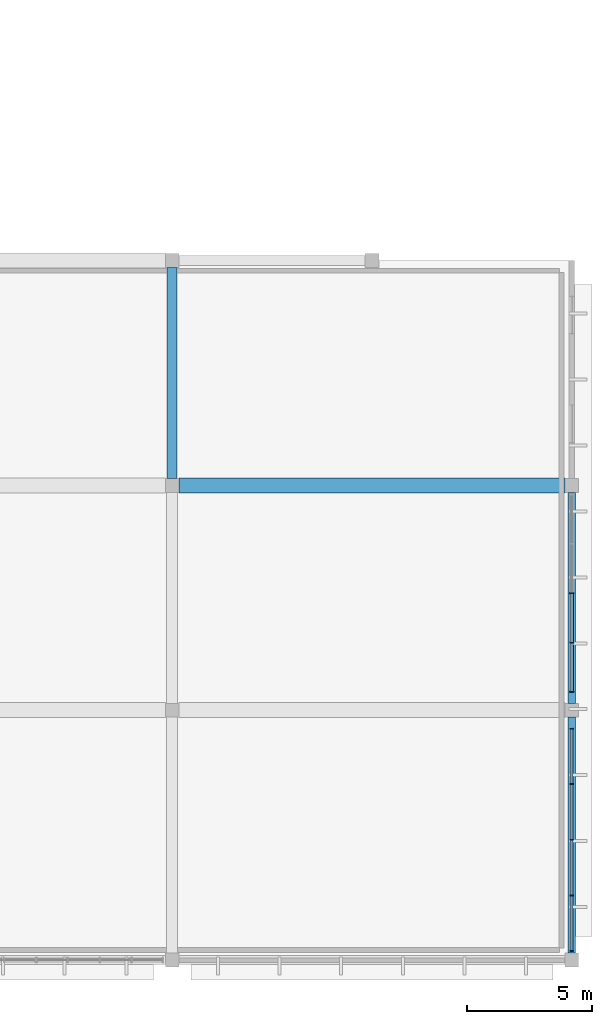
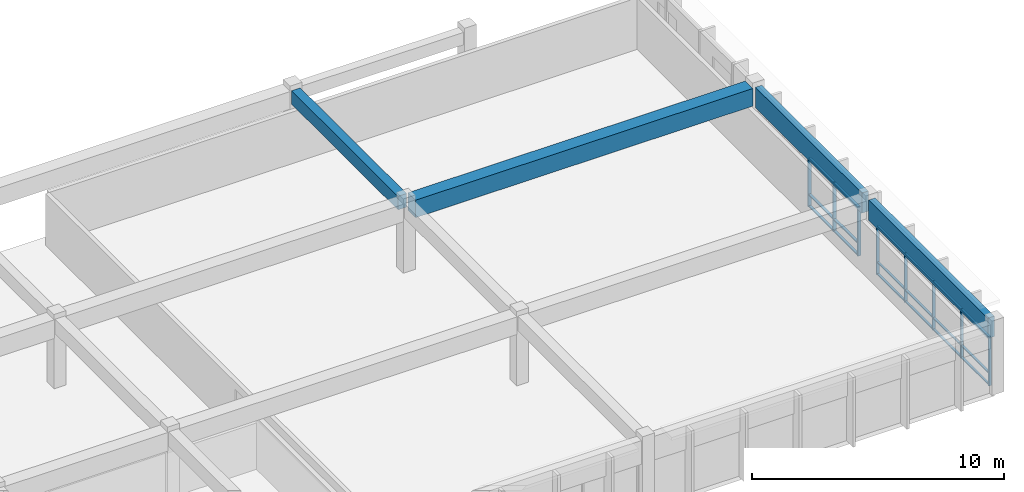
# One storey, part 34 of 77: 26 members, 4 beams, 2 elements without a shape of their own.
"""IFC4 building model written with IfcOpenShell, lengths in metres."""

from ifc_helpers import new_model, si_unit, direction, frame, origin, origin_2d, place, context, subcontext, project, spatial, rectangle, extrude, material, material_profile, profile_set, type_object, element, aggregate, save


model = new_model("IFC4")

# Units and contexts
model_context = context("Model", 3, precision=1e-05, world=origin(), true_north=direction((0.0, 1.0)))
body_context = subcontext(model_context, "Body", "Model", "MODEL_VIEW")
ifc_project = project(units=[si_unit("LENGTHUNIT", "METRE"), si_unit("AREAUNIT", "SQUARE_METRE"), si_unit("VOLUMEUNIT", "CUBIC_METRE"), si_unit("PLANEANGLEUNIT", "RADIAN"), si_unit("MASSUNIT", "GRAM", prefix="KILO")], contexts=[model_context])

# Site, building, storey
site_placement = place(None, origin())
site = spatial("IfcSite", under=ifc_project, at=site_placement, CompositionType="ELEMENT")
building_placement = place(site_placement, origin())
building = spatial("IfcBuilding", under=site, at=building_placement, Name="Larkveld Mobility Hub", CompositionType="ELEMENT")
storey_placement = place(building_placement, frame((0.0, 0.0, 12.0)))
storey = spatial("IfcBuildingStorey", under=building, at=storey_placement, Name="L03", CompositionType="ELEMENT", Elevation=12.0)

# Beams
ifc_material_1 = material(Name="Precast concrete C50/60", Category="concrete")
ifc_material_profile_1 = material_profile(ifc_material_1, rectangle(XDim=0.60009765625, YDim=0.85009765625, at=origin_2d()), Name="PC ITB 600x850")
ifc_profile_set_1 = profile_set([ifc_material_profile_1], Name="Precast concrete C50/60")
beam_type_1 = type_object("IfcBeamType", Name="BM-ITB6085", PredefinedType="T_BEAM", material=ifc_profile_set_1)
beam_1_placement = place(storey_placement, frame((168.27490234375, 19.0, 2.93505859375), z_axis=(1.0, 0.0, 0.0), x_axis=(0.0, 1.0, 0.0)))
element("IfcBeam", 1, at=beam_1_placement, inside=storey, type_object=beam_type_1, Name="Primary E-W Girder L03-0712", PredefinedType="T_BEAM", context=body_context, shape_type="SweptSolid", body=[
    extrude(rectangle(XDim=0.60009765625, YDim=0.85009765625, at=origin_2d()), origin(), (0.0, 0.0, 1.0), 15.4501953125),
])
ifc_material_2 = material(Name="Concrete C40/50", Category="concrete")
ifc_material_profile_2 = material_profile(ifc_material_2, rectangle(XDim=0.39990234375, YDim=0.64990234375, at=origin_2d()), Name="RC BM 400x650")
ifc_profile_set_2 = profile_set([ifc_material_profile_2], Name="Concrete C40/50")
beam_type_2 = type_object("IfcBeamType", Name="BM-RC4065", PredefinedType="BEAM", material=ifc_profile_set_2)
beam_2_placement = place(storey_placement, frame((168.0, 19.27490234375, 3.034912109375), z_axis=(0.0, 1.0, 0.0), x_axis=(-1.0, 0.0, 0.0)))
element("IfcBeam", 2, at=beam_2_placement, inside=storey, type_object=beam_type_2, Name="Primary N-S Girder L03-0851", PredefinedType="BEAM", context=body_context, shape_type="SweptSolid", body=[
    extrude(rectangle(XDim=0.39990234375, YDim=0.64990234375, at=origin_2d()), origin(), (0.0, 0.0, 1.0), 8.4501953125),
])
ifc_material_profile_3 = material_profile(ifc_material_1, rectangle(XDim=0.300048828125, YDim=0.97998046875, at=origin_2d()), Name="PC SP 300x980")
ifc_profile_set_3 = profile_set([ifc_material_profile_3], Name="Precast concrete C50/60")
beam_type_3 = type_object("IfcBeamType", Name="BM-SP3098", PredefinedType="SPANDREL", material=ifc_profile_set_3)
beam_3_placement = place(storey_placement, frame((184.0, 0.27490234375, 2.8701171875), z_axis=(0.0, 1.0, 0.0), x_axis=(-1.0, 0.0, 0.0)))
element("IfcBeam", 3, at=beam_3_placement, inside=storey, type_object=beam_type_3, Name="Primary N-S Girder L03-0852", PredefinedType="SPANDREL", context=body_context, shape_type="SweptSolid", body=[
    extrude(rectangle(XDim=0.300048828125, YDim=0.97998046875, at=origin_2d()), origin(), (0.0, 0.0, 1.0), 9.4501953125),
])
beam_4_placement = place(storey_placement, frame((184.0, 10.27490234375, 2.8701171875), z_axis=(0.0, 1.0, 0.0), x_axis=(-1.0, 0.0, 0.0)))
element("IfcBeam", 4, at=beam_4_placement, inside=storey, type_object=beam_type_3, Name="Primary N-S Girder L03-0853", PredefinedType="SPANDREL", context=body_context, shape_type="SweptSolid", body=[
    extrude(rectangle(XDim=0.300048828125, YDim=0.97998046875, at=origin_2d()), origin(), (0.0, 0.0, 1.0), 8.4501953125),
])

# Curtain wall, members
ifc_material_3 = material(Name="Anodised aluminium 6063-T6", Category="aluminium")
curtain_wall_type_1 = type_object("IfcCurtainWallType", Name="CW-SYS-01", PredefinedType="NOTDEFINED", material=ifc_material_3)
curtain_wall_1_placement = place(storey_placement, origin())
curtain_wall_1 = element("IfcCurtainWall", 5, at=curtain_wall_1_placement, inside=storey, type_object=curtain_wall_type_1, Name="Service Wing East Curtain Wall L03 CW-121", PredefinedType="NOTDEFINED")
ifc_material_profile_4 = material_profile(ifc_material_3, rectangle(XDim=0.050048828125, YDim=0.14990234375, at=origin_2d()), Name="ALU MULL 50x150")
ifc_profile_set_4 = profile_set([ifc_material_profile_4], Name="Anodised aluminium 6063-T6")
member_type_1 = type_object("IfcMemberType", Name="CW-MUL-01", PredefinedType="MULLION", material=ifc_profile_set_4)
member_1_placement = place(storey_placement, frame((184.0, 10.739990234375, -0.001953125), z_axis=(0.0, 0.0, 1.0), x_axis=(0.0, 1.0, 0.0)))
member_1 = element("IfcMember", 6, at=member_1_placement, type_object=member_type_1, Name="CW01 mullion 1", PredefinedType="MULLION", context=body_context, shape_type="SweptSolid", body=[
    extrude(rectangle(XDim=0.050048828125, YDim=0.14990234375, at=origin_2d()), origin(), (0.0, 0.0, 1.0), 2.3818359375),
])
member_2_placement = place(storey_placement, frame((184.0, 12.698974609375, -0.001953125), z_axis=(0.0, 0.0, 1.0), x_axis=(0.0, 1.0, 0.0)))
member_2 = element("IfcMember", 7, at=member_2_placement, type_object=member_type_1, Name="CW01 mullion 2", PredefinedType="MULLION", context=body_context, shape_type="SweptSolid", body=[
    extrude(rectangle(XDim=0.050048828125, YDim=0.14990234375, at=origin_2d()), origin(), (0.0, 0.0, 1.0), 2.3818359375),
])
member_3_placement = place(storey_placement, frame((184.0, 14.68310546875, -0.001953125), z_axis=(0.0, 0.0, 1.0), x_axis=(0.0, 1.0, 0.0)))
member_3 = element("IfcMember", 8, at=member_3_placement, type_object=member_type_1, Name="CW01 mullion 3", PredefinedType="MULLION", context=body_context, shape_type="SweptSolid", body=[
    extrude(rectangle(XDim=0.050048828125, YDim=0.14990234375, at=origin_2d()), origin(), (0.0, 0.0, 1.0), 2.3818359375),
])

curtain_wall_type_2 = type_object("IfcCurtainWallType", Name="CW-SYS-12", PredefinedType="NOTDEFINED", material=ifc_material_3)
curtain_wall_2_placement = place(storey_placement, origin())
curtain_wall_2 = element("IfcCurtainWall", 9, at=curtain_wall_2_placement, inside=storey, type_object=curtain_wall_type_2, Name="Service Wing East Curtain Wall L03 CW-120", PredefinedType="NOTDEFINED")
ifc_material_profile_5 = material_profile(ifc_material_3, rectangle(XDim=0.050048828125, YDim=0.1298828125, at=origin_2d()), Name="ALU MULL 50x130")
ifc_profile_set_5 = profile_set([ifc_material_profile_5], Name="Anodised aluminium 6063-T6")
member_type_2 = type_object("IfcMemberType", Name="CW-MUL-04", PredefinedType="MULLION", material=ifc_profile_set_5)
member_4_placement = place(storey_placement, frame((184.0, 0.375, -0.001953125), z_axis=(0.0, 0.0, 1.0), x_axis=(0.0, 1.0, 0.0)))
member_4 = element("IfcMember", 10, at=member_4_placement, type_object=member_type_2, Name="CW12 mullion 1", PredefinedType="MULLION", context=body_context, shape_type="SweptSolid", body=[
    extrude(rectangle(XDim=0.050048828125, YDim=0.1298828125, at=origin_2d()), origin(), (0.0, 0.0, 1.0), 2.3818359375),
])
member_5_placement = place(storey_placement, frame((184.0, 2.583984375, -0.001953125), z_axis=(0.0, 0.0, 1.0), x_axis=(0.0, 1.0, 0.0)))
member_5 = element("IfcMember", 11, at=member_5_placement, type_object=member_type_2, Name="CW12 mullion 2", PredefinedType="MULLION", context=body_context, shape_type="SweptSolid", body=[
    extrude(rectangle(XDim=0.050048828125, YDim=0.1298828125, at=origin_2d()), origin(), (0.0, 0.0, 1.0), 2.3818359375),
])
member_6_placement = place(storey_placement, frame((184.0, 4.81689453125, -0.001953125), z_axis=(0.0, 0.0, 1.0), x_axis=(0.0, 1.0, 0.0)))
member_6 = element("IfcMember", 12, at=member_6_placement, type_object=member_type_2, Name="CW12 mullion 3", PredefinedType="MULLION", context=body_context, shape_type="SweptSolid", body=[
    extrude(rectangle(XDim=0.050048828125, YDim=0.1298828125, at=origin_2d()), origin(), (0.0, 0.0, 1.0), 2.3818359375),
])
member_7_placement = place(storey_placement, frame((184.0, 7.051025390625, -0.001953125), z_axis=(0.0, 0.0, 1.0), x_axis=(0.0, 1.0, 0.0)))
member_7 = element("IfcMember", 13, at=member_7_placement, type_object=member_type_2, Name="CW12 mullion 4", PredefinedType="MULLION", context=body_context, shape_type="SweptSolid", body=[
    extrude(rectangle(XDim=0.050048828125, YDim=0.1298828125, at=origin_2d()), origin(), (0.0, 0.0, 1.0), 2.3818359375),
])
member_8_placement = place(storey_placement, frame((184.0, 9.260009765625, -0.001953125), z_axis=(0.0, 0.0, 1.0), x_axis=(0.0, 1.0, 0.0)))
member_8 = element("IfcMember", 14, at=member_8_placement, type_object=member_type_2, Name="CW12 mullion 5", PredefinedType="MULLION", context=body_context, shape_type="SweptSolid", body=[
    extrude(rectangle(XDim=0.050048828125, YDim=0.1298828125, at=origin_2d()), origin(), (0.0, 0.0, 1.0), 2.3818359375),
])

# Member
ifc_material_profile_6 = material_profile(ifc_material_3, rectangle(XDim=0.1201171875, YDim=0.050048828125, at=origin_2d()), Name="ALU TRAN 50x120")
ifc_profile_set_6 = profile_set([ifc_material_profile_6], Name="Anodised aluminium 6063-T6")
member_type_3 = type_object("IfcMemberType", Name="CW-TRN-01", PredefinedType="USERDEFINED", material=ifc_profile_set_6)
member_9_placement = place(storey_placement, frame((184.0, 10.75, 0.030029296875), z_axis=(0.0, 1.0, 0.0), x_axis=(-1.0, 0.0, 0.0)))
member_9 = element("IfcMember", 15, at=member_9_placement, type_object=member_type_3, Name="CW01 transom 1.1", ObjectType="TRANSOM", PredefinedType="USERDEFINED", context=body_context, shape_type="SweptSolid", body=[
    extrude(rectangle(XDim=0.1201171875, YDim=0.050048828125, at=origin_2d()), origin(), (0.0, 0.0, 1.0), 1.93408203125),
])

member_10_placement = place(storey_placement, frame((184.0, 10.75, 0.594970703125), z_axis=(0.0, 1.0, 0.0), x_axis=(-1.0, 0.0, 0.0)))
member_10 = element("IfcMember", 16, at=member_10_placement, type_object=member_type_3, Name="CW01 transom 1.2", ObjectType="TRANSOM", PredefinedType="USERDEFINED", context=body_context, shape_type="SweptSolid", body=[
    extrude(rectangle(XDim=0.1201171875, YDim=0.050048828125, at=origin_2d()), origin(), (0.0, 0.0, 1.0), 1.93408203125),
])

member_11_placement = place(storey_placement, frame((184.0, 10.75, 2.347900390625), z_axis=(0.0, 1.0, 0.0), x_axis=(-1.0, 0.0, 0.0)))
member_11 = element("IfcMember", 17, at=member_11_placement, type_object=member_type_3, Name="CW01 transom 1.3", ObjectType="TRANSOM", PredefinedType="USERDEFINED", context=body_context, shape_type="SweptSolid", body=[
    extrude(rectangle(XDim=0.1201171875, YDim=0.050048828125, at=origin_2d()), origin(), (0.0, 0.0, 1.0), 1.93408203125),
])

member_12_placement = place(storey_placement, frame((184.0, 12.714111328125, 0.030029296875), z_axis=(0.0, 1.0, 0.0), x_axis=(-1.0, 0.0, 0.0)))
member_12 = element("IfcMember", 18, at=member_12_placement, type_object=member_type_3, Name="CW01 transom 2.1", ObjectType="TRANSOM", PredefinedType="USERDEFINED", context=body_context, shape_type="SweptSolid", body=[
    extrude(rectangle(XDim=0.1201171875, YDim=0.050048828125, at=origin_2d()), origin(), (0.0, 0.0, 1.0), 1.953857421875),
])

member_13_placement = place(storey_placement, frame((184.0, 12.714111328125, 0.594970703125), z_axis=(0.0, 1.0, 0.0), x_axis=(-1.0, 0.0, 0.0)))
member_13 = element("IfcMember", 19, at=member_13_placement, type_object=member_type_3, Name="CW01 transom 2.2", ObjectType="TRANSOM", PredefinedType="USERDEFINED", context=body_context, shape_type="SweptSolid", body=[
    extrude(rectangle(XDim=0.1201171875, YDim=0.050048828125, at=origin_2d()), origin(), (0.0, 0.0, 1.0), 1.953857421875),
])

member_14_placement = place(storey_placement, frame((184.0, 12.714111328125, 2.347900390625), z_axis=(0.0, 1.0, 0.0), x_axis=(-1.0, 0.0, 0.0)))
member_14 = element("IfcMember", 20, at=member_14_placement, type_object=member_type_3, Name="CW01 transom 2.3", ObjectType="TRANSOM", PredefinedType="USERDEFINED", context=body_context, shape_type="SweptSolid", body=[
    extrude(rectangle(XDim=0.1201171875, YDim=0.050048828125, at=origin_2d()), origin(), (0.0, 0.0, 1.0), 1.953857421875),
])

aggregate(curtain_wall_1, [member_1, member_2, member_3, member_9, member_10, member_11, member_12, member_13, member_14])

ifc_material_profile_7 = material_profile(ifc_material_3, rectangle(XDim=0.10009765625, YDim=0.050048828125, at=origin_2d()), Name="ALU TRAN 50x100")
ifc_profile_set_7 = profile_set([ifc_material_profile_7], Name="Anodised aluminium 6063-T6")
member_type_4 = type_object("IfcMemberType", Name="CW-TRN-04", PredefinedType="USERDEFINED", material=ifc_profile_set_7)
member_15_placement = place(storey_placement, frame((184.0, 0.385009765625, 0.030029296875), z_axis=(0.0, 1.0, 0.0), x_axis=(-1.0, 0.0, 0.0)))
member_15 = element("IfcMember", 21, at=member_15_placement, type_object=member_type_4, Name="CW12 transom 1.1", ObjectType="TRANSOM", PredefinedType="USERDEFINED", context=body_context, shape_type="SweptSolid", body=[
    extrude(rectangle(XDim=0.10009765625, YDim=0.050048828125, at=origin_2d()), origin(), (0.0, 0.0, 1.0), 2.18408203125),
])

member_16_placement = place(storey_placement, frame((184.0, 0.385009765625, 0.594970703125), z_axis=(0.0, 1.0, 0.0), x_axis=(-1.0, 0.0, 0.0)))
member_16 = element("IfcMember", 22, at=member_16_placement, type_object=member_type_4, Name="CW12 transom 1.2", ObjectType="TRANSOM", PredefinedType="USERDEFINED", context=body_context, shape_type="SweptSolid", body=[
    extrude(rectangle(XDim=0.10009765625, YDim=0.050048828125, at=origin_2d()), origin(), (0.0, 0.0, 1.0), 2.18408203125),
])

member_17_placement = place(storey_placement, frame((184.0, 0.385009765625, 2.347900390625), z_axis=(0.0, 1.0, 0.0), x_axis=(-1.0, 0.0, 0.0)))
member_17 = element("IfcMember", 23, at=member_17_placement, type_object=member_type_4, Name="CW12 transom 1.3", ObjectType="TRANSOM", PredefinedType="USERDEFINED", context=body_context, shape_type="SweptSolid", body=[
    extrude(rectangle(XDim=0.10009765625, YDim=0.050048828125, at=origin_2d()), origin(), (0.0, 0.0, 1.0), 2.18408203125),
])

member_18_placement = place(storey_placement, frame((184.0, 2.59912109375, 0.030029296875), z_axis=(0.0, 1.0, 0.0), x_axis=(-1.0, 0.0, 0.0)))
member_18 = element("IfcMember", 24, at=member_18_placement, type_object=member_type_4, Name="CW12 transom 2.1", ObjectType="TRANSOM", PredefinedType="USERDEFINED", context=body_context, shape_type="SweptSolid", body=[
    extrude(rectangle(XDim=0.10009765625, YDim=0.050048828125, at=origin_2d()), origin(), (0.0, 0.0, 1.0), 2.203857421875),
])

member_19_placement = place(storey_placement, frame((184.0, 2.59912109375, 0.594970703125), z_axis=(0.0, 1.0, 0.0), x_axis=(-1.0, 0.0, 0.0)))
member_19 = element("IfcMember", 25, at=member_19_placement, type_object=member_type_4, Name="CW12 transom 2.2", ObjectType="TRANSOM", PredefinedType="USERDEFINED", context=body_context, shape_type="SweptSolid", body=[
    extrude(rectangle(XDim=0.10009765625, YDim=0.050048828125, at=origin_2d()), origin(), (0.0, 0.0, 1.0), 2.203857421875),
])

member_20_placement = place(storey_placement, frame((184.0, 2.59912109375, 2.347900390625), z_axis=(0.0, 1.0, 0.0), x_axis=(-1.0, 0.0, 0.0)))
member_20 = element("IfcMember", 26, at=member_20_placement, type_object=member_type_4, Name="CW12 transom 2.3", ObjectType="TRANSOM", PredefinedType="USERDEFINED", context=body_context, shape_type="SweptSolid", body=[
    extrude(rectangle(XDim=0.10009765625, YDim=0.050048828125, at=origin_2d()), origin(), (0.0, 0.0, 1.0), 2.203857421875),
])

member_21_placement = place(storey_placement, frame((184.0, 4.83203125, 0.030029296875), z_axis=(0.0, 1.0, 0.0), x_axis=(-1.0, 0.0, 0.0)))
member_21 = element("IfcMember", 27, at=member_21_placement, type_object=member_type_4, Name="CW12 transom 3.1", ObjectType="TRANSOM", PredefinedType="USERDEFINED", context=body_context, shape_type="SweptSolid", body=[
    extrude(rectangle(XDim=0.10009765625, YDim=0.050048828125, at=origin_2d()), origin(), (0.0, 0.0, 1.0), 2.203857421875),
])

member_22_placement = place(storey_placement, frame((184.0, 4.83203125, 0.594970703125), z_axis=(0.0, 1.0, 0.0), x_axis=(-1.0, 0.0, 0.0)))
member_22 = element("IfcMember", 28, at=member_22_placement, type_object=member_type_4, Name="CW12 transom 3.2", ObjectType="TRANSOM", PredefinedType="USERDEFINED", context=body_context, shape_type="SweptSolid", body=[
    extrude(rectangle(XDim=0.10009765625, YDim=0.050048828125, at=origin_2d()), origin(), (0.0, 0.0, 1.0), 2.203857421875),
])

member_23_placement = place(storey_placement, frame((184.0, 4.83203125, 2.347900390625), z_axis=(0.0, 1.0, 0.0), x_axis=(-1.0, 0.0, 0.0)))
member_23 = element("IfcMember", 29, at=member_23_placement, type_object=member_type_4, Name="CW12 transom 3.3", ObjectType="TRANSOM", PredefinedType="USERDEFINED", context=body_context, shape_type="SweptSolid", body=[
    extrude(rectangle(XDim=0.10009765625, YDim=0.050048828125, at=origin_2d()), origin(), (0.0, 0.0, 1.0), 2.203857421875),
])

member_24_placement = place(storey_placement, frame((184.0, 7.06591796875, 0.030029296875), z_axis=(0.0, 1.0, 0.0), x_axis=(-1.0, 0.0, 0.0)))
member_24 = element("IfcMember", 30, at=member_24_placement, type_object=member_type_4, Name="CW12 transom 4.1", ObjectType="TRANSOM", PredefinedType="USERDEFINED", context=body_context, shape_type="SweptSolid", body=[
    extrude(rectangle(XDim=0.10009765625, YDim=0.050048828125, at=origin_2d()), origin(), (0.0, 0.0, 1.0), 2.18408203125),
])

member_25_placement = place(storey_placement, frame((184.0, 7.06591796875, 0.594970703125), z_axis=(0.0, 1.0, 0.0), x_axis=(-1.0, 0.0, 0.0)))
member_25 = element("IfcMember", 31, at=member_25_placement, type_object=member_type_4, Name="CW12 transom 4.2", ObjectType="TRANSOM", PredefinedType="USERDEFINED", context=body_context, shape_type="SweptSolid", body=[
    extrude(rectangle(XDim=0.10009765625, YDim=0.050048828125, at=origin_2d()), origin(), (0.0, 0.0, 1.0), 2.18408203125),
])

member_26_placement = place(storey_placement, frame((184.0, 7.06591796875, 2.347900390625), z_axis=(0.0, 1.0, 0.0), x_axis=(-1.0, 0.0, 0.0)))
member_26 = element("IfcMember", 32, at=member_26_placement, type_object=member_type_4, Name="CW12 transom 4.3", ObjectType="TRANSOM", PredefinedType="USERDEFINED", context=body_context, shape_type="SweptSolid", body=[
    extrude(rectangle(XDim=0.10009765625, YDim=0.050048828125, at=origin_2d()), origin(), (0.0, 0.0, 1.0), 2.18408203125),
])

aggregate(curtain_wall_2, [member_4, member_5, member_6, member_7, member_8, member_15, member_16, member_17, member_18, member_19, member_20, member_21, member_22, member_23, member_24, member_25, member_26])

save(model, "model.ifc")
